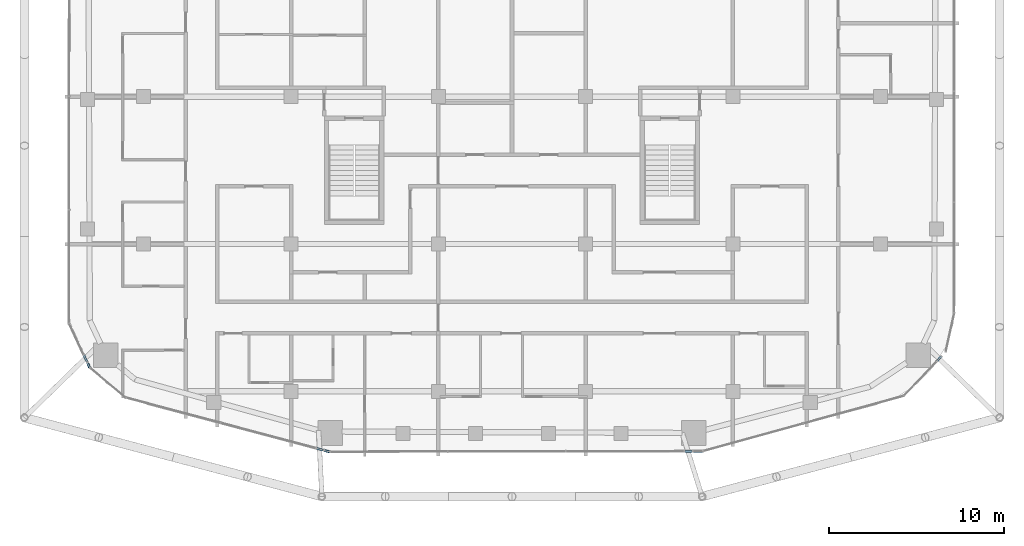
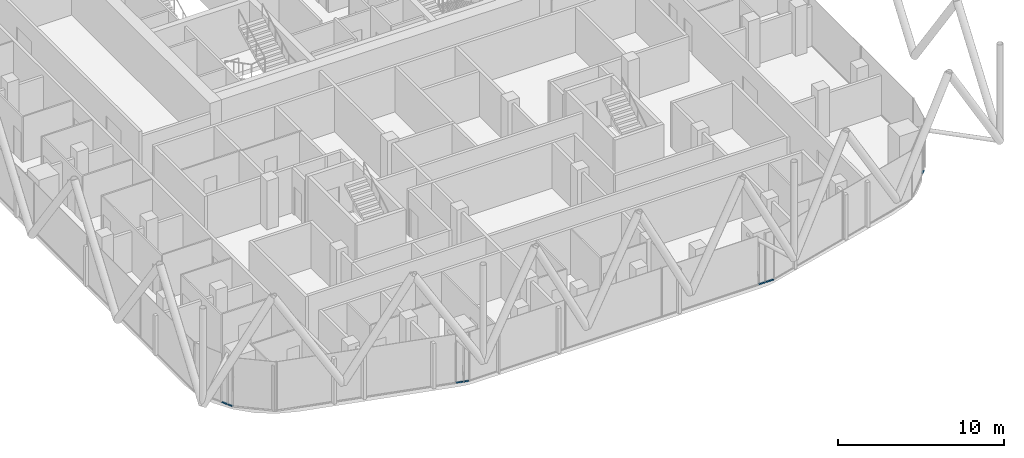
# One storey, part 12 of 28: 7 members, 7 elements without a shape of their own.
"""IFC4 building model written with IfcOpenShell, lengths in metres."""

from ifc_helpers import new_model, si_unit, direction, frame, origin, origin_2d, place, context, subcontext, project, spatial, rectangle, extrude, material, layer, layer_set, material_profile, profile_set, type_object, element, aggregate, save


model = new_model("IFC4")

# Units and contexts
model_context = context("Model", 3, precision=1e-05, world=origin(), true_north=direction((0.0, 1.0)))
body_context = subcontext(model_context, "Body", "Model", "MODEL_VIEW")
ifc_project = project(units=[si_unit("LENGTHUNIT", "METRE"), si_unit("AREAUNIT", "SQUARE_METRE"), si_unit("VOLUMEUNIT", "CUBIC_METRE"), si_unit("PLANEANGLEUNIT", "RADIAN"), si_unit("MASSUNIT", "GRAM", prefix="KILO")], contexts=[model_context])

# Site, building, storey
site_placement = place(None, origin())
site = spatial("IfcSite", under=ifc_project, at=site_placement, CompositionType="ELEMENT")
building_placement = place(site_placement, origin())
building = spatial("IfcBuilding", under=site, at=building_placement, Name="Marenta Gate Hotel Tower", CompositionType="ELEMENT")
storey_placement = place(building_placement, frame((0.0, 0.0, 241.699951171875)))
storey = spatial("IfcBuildingStorey", under=building, at=storey_placement, Name="L57", CompositionType="ELEMENT", Elevation=241.699951171875)

# Curtain wall, member
ifc_material_1 = material(Name="Tinted insulated glass in bronze anodised frame", Category="glass")
ifc_layer = layer(ifc_material_1, 0.1201171875)
ifc_layer_set = layer_set([ifc_layer], Name="Tinted insulated glass in bronze anodised frame")
curtain_wall_type = type_object("IfcCurtainWallType", Name="Tower unitised curtain wall CW1", PredefinedType="NOTDEFINED", material=ifc_layer_set)
curtain_wall_1_placement = place(storey_placement, origin())
curtain_wall_1 = element("IfcCurtainWall", 1, at=curtain_wall_1_placement, inside=storey, type_object=curtain_wall_type, Name="CW1 run G06", PredefinedType="NOTDEFINED")
ifc_material_2 = material(Name="Bronze anodised aluminium", Category="aluminium")
ifc_material_profile = material_profile(ifc_material_2, rectangle(XDim=0.1201171875, YDim=0.06005859375, at=origin_2d()), Name="Transom CW1 60x120 bronze anodised aluminium")
ifc_profile_set = profile_set([ifc_material_profile], Name="Bronze anodised aluminium")
member_type = type_object("IfcMemberType", Name="Transom CW1 60x120 bronze anodised aluminium", PredefinedType="USERDEFINED", material=ifc_profile_set)
member_1_placement = place(storey_placement, frame((-24.406005859375, -23.149169921875, 0.030029296875), z_axis=(0.42333108841, -0.905975049097, 0.0), x_axis=(0.905975049097, 0.42333108841, 0.0)))
member_1 = element("IfcMember", 2, at=member_1_placement, type_object=member_type, Name="CW1 transom 1.1", ObjectType="TRANSOM", PredefinedType="USERDEFINED", context=body_context, shape_type="SweptSolid", body=[
    extrude(rectangle(XDim=0.1201171875, YDim=0.06005859375, at=origin_2d()), origin(), (0.0, 0.0, 1.0), 0.419921875),
])
aggregate(curtain_wall_1, [member_1])

curtain_wall_2_placement = place(storey_placement, origin())
curtain_wall_2 = element("IfcCurtainWall", 3, at=curtain_wall_2_placement, inside=storey, type_object=curtain_wall_type, Name="CW1 run G07", PredefinedType="NOTDEFINED")
member_2_placement = place(storey_placement, frame((-24.202880859375, -23.583740234375, 0.030029296875), z_axis=(0.422602733719, -0.90631502771, 0.0), x_axis=(0.90631502771, 0.422602733719, 0.0)))
member_2 = element("IfcMember", 4, at=member_2_placement, type_object=member_type, Name="CW1 transom 1.1", ObjectType="TRANSOM", PredefinedType="USERDEFINED", context=body_context, shape_type="SweptSolid", body=[
    extrude(rectangle(XDim=0.1201171875, YDim=0.06005859375, at=origin_2d()), origin(), (0.0, 0.0, 1.0), 0.28369140625),
])
aggregate(curtain_wall_2, [member_2])

curtain_wall_3_placement = place(storey_placement, origin())
curtain_wall_3 = element("IfcCurtainWall", 5, at=curtain_wall_3_placement, inside=storey, type_object=curtain_wall_type, Name="CW1 run G10", PredefinedType="NOTDEFINED")
member_3_placement = place(storey_placement, frame((-11.14599609375, -28.450439453125, 0.030029296875), z_axis=(0.966371226399, -0.257151031083, 0.0), x_axis=(0.257151031083, 0.966371226399, 0.0)))
member_3 = element("IfcMember", 6, at=member_3_placement, type_object=member_type, Name="CW1 transom 1.1", ObjectType="TRANSOM", PredefinedType="USERDEFINED", context=body_context, shape_type="SweptSolid", body=[
    extrude(rectangle(XDim=0.1201171875, YDim=0.06005859375, at=origin_2d()), origin(), (0.0, 0.0, 1.0), 0.415771484375),
])
aggregate(curtain_wall_3, [member_3])

curtain_wall_4_placement = place(storey_placement, origin())
curtain_wall_4 = element("IfcCurtainWall", 7, at=curtain_wall_4_placement, inside=storey, type_object=curtain_wall_type, Name="CW1 run G11", PredefinedType="NOTDEFINED")
member_4_placement = place(storey_placement, frame((-10.686279296875, -28.57275390625, 0.030029296875), z_axis=(0.966262873917, -0.257557874058, 0.0), x_axis=(0.257557874058, 0.966262873917, 0.0)))
member_4 = element("IfcMember", 8, at=member_4_placement, type_object=member_type, Name="CW1 transom 1.1", ObjectType="TRANSOM", PredefinedType="USERDEFINED", context=body_context, shape_type="SweptSolid", body=[
    extrude(rectangle(XDim=0.1201171875, YDim=0.06005859375, at=origin_2d()), origin(), (0.0, 0.0, 1.0), 0.2900390625),
])
aggregate(curtain_wall_4, [member_4])

curtain_wall_5_placement = place(storey_placement, origin())
curtain_wall_5 = element("IfcCurtainWall", 9, at=curtain_wall_5_placement, inside=storey, type_object=curtain_wall_type, Name="CW1 run G13", PredefinedType="NOTDEFINED")
member_5_placement = place(storey_placement, frame((9.85498046875, -28.6142578125, 0.030029296875), z_axis=(0.9999984374, 0.001767822812, 0.0), x_axis=(-0.001767822812, 0.9999984374, 0.0)))
member_5 = element("IfcMember", 10, at=member_5_placement, type_object=member_type, Name="CW1 transom 1.1", ObjectType="TRANSOM", PredefinedType="USERDEFINED", context=body_context, shape_type="SweptSolid", body=[
    extrude(rectangle(XDim=0.1201171875, YDim=0.06005859375, at=origin_2d()), origin(), (0.0, 0.0, 1.0), 0.414306640625),
])
aggregate(curtain_wall_5, [member_5])

curtain_wall_6_placement = place(storey_placement, origin())
curtain_wall_6 = element("IfcCurtainWall", 11, at=curtain_wall_6_placement, inside=storey, type_object=curtain_wall_type, Name="CW1 run G14", PredefinedType="NOTDEFINED")
member_6_placement = place(storey_placement, frame((10.3291015625, -28.61328125, 0.030029296875), z_axis=(0.999999095908, 0.001344687265, 0.0), x_axis=(-0.001344687265, 0.999999095908, 0.0)))
member_6 = element("IfcMember", 12, at=member_6_placement, type_object=member_type, Name="CW1 transom 1.1", ObjectType="TRANSOM", PredefinedType="USERDEFINED", context=body_context, shape_type="SweptSolid", body=[
    extrude(rectangle(XDim=0.1201171875, YDim=0.06005859375, at=origin_2d()), origin(), (0.0, 0.0, 1.0), 0.544677734375),
])
aggregate(curtain_wall_6, [member_6])

curtain_wall_7_placement = place(storey_placement, origin())
curtain_wall_7 = element("IfcCurtainWall", 13, at=curtain_wall_7_placement, inside=storey, type_object=curtain_wall_type, Name="CW1 run G17", PredefinedType="NOTDEFINED")
member_7_placement = place(storey_placement, frame((24.244873046875, -23.461669921875, 0.030029296875), z_axis=(0.69228754022, 0.721621758026, 0.0), x_axis=(-0.721621758026, 0.69228754022, 0.0)))
member_7 = element("IfcMember", 14, at=member_7_placement, type_object=member_type, Name="CW1 transom 1.1", ObjectType="TRANSOM", PredefinedType="USERDEFINED", context=body_context, shape_type="SweptSolid", body=[
    extrude(rectangle(XDim=0.1201171875, YDim=0.06005859375, at=origin_2d()), origin(), (0.0, 0.0, 1.0), 0.3330078125),
])
aggregate(curtain_wall_7, [member_7])

save(model, "model.ifc")
